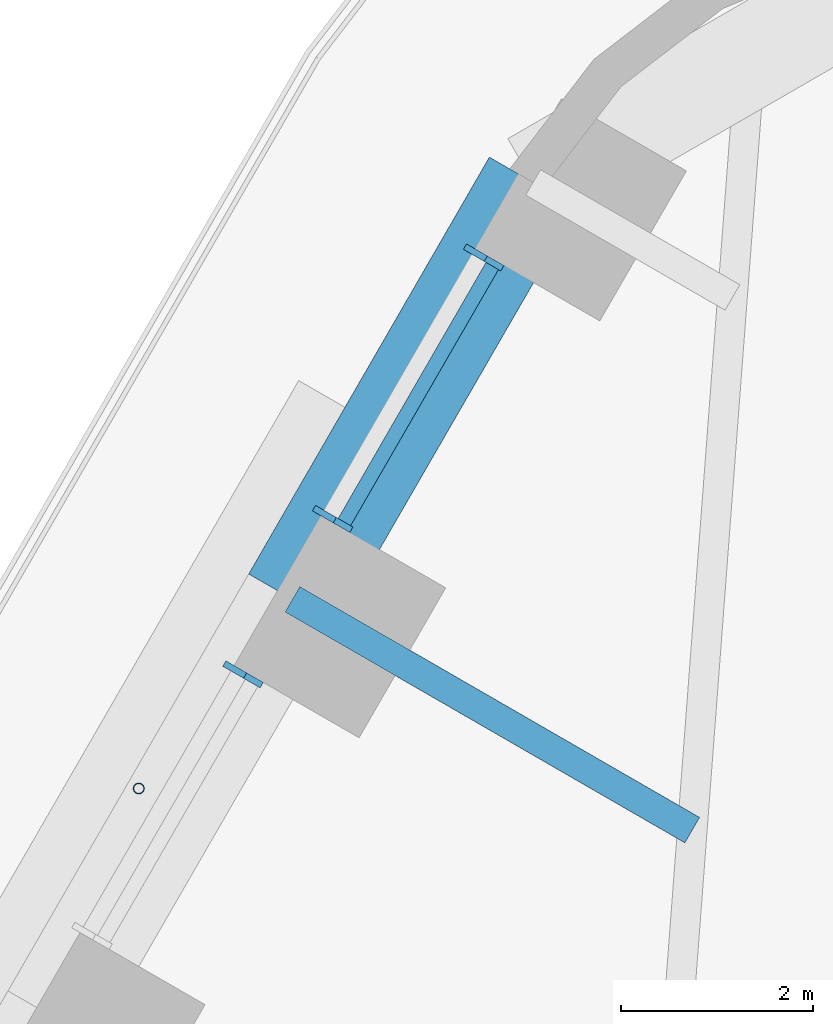
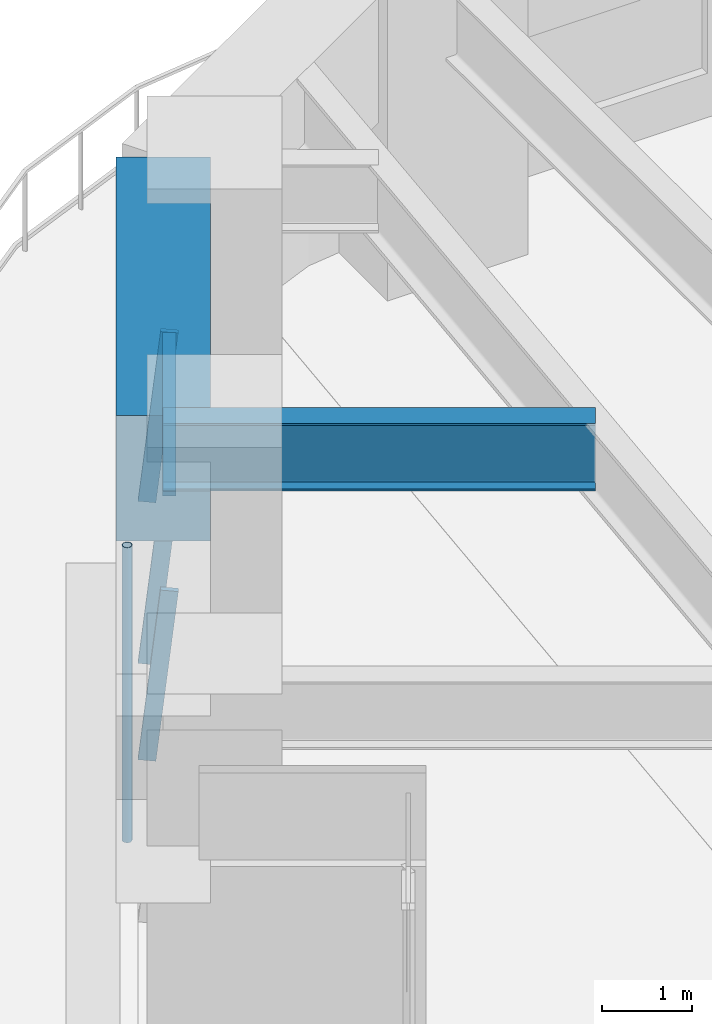
# One storey, part 9 of 24: 5 members, 2 beams, 2 elements without a shape of their own.
"""IFC4 building model written with IfcOpenShell, lengths in metres."""

from ifc_helpers import new_model, si_unit, direction, frame, origin, origin_2d, place, context, subcontext, project, spatial, rectangle, hollow_circle, i_section, extrude, material, material_profile, profile_set, type_object, element, aggregate, save


model = new_model("IFC4")

# Units and contexts
model_context = context("Model", 3, precision=1e-05, world=origin(), true_north=direction((0.0, 1.0)))
body_context = subcontext(model_context, "Body", "Model", "MODEL_VIEW")
ifc_project = project(units=[si_unit("LENGTHUNIT", "METRE"), si_unit("AREAUNIT", "SQUARE_METRE"), si_unit("VOLUMEUNIT", "CUBIC_METRE"), si_unit("PLANEANGLEUNIT", "RADIAN"), si_unit("MASSUNIT", "GRAM", prefix="KILO")], contexts=[model_context])

# Site, building, storey
site_placement = place(None, origin())
site = spatial("IfcSite", under=ifc_project, at=site_placement, CompositionType="ELEMENT")
building_placement = place(site_placement, origin())
building = spatial("IfcBuilding", under=site, at=building_placement, Name="Tarfa Lantern Tower", CompositionType="ELEMENT")
storey_placement = place(building_placement, frame((0.0, 0.0, 127.89990234375)))
storey = spatial("IfcBuildingStorey", under=building, at=storey_placement, Name="L28", CompositionType="ELEMENT", Elevation=127.89990234375)

# Curtain wall, members
ifc_material_1 = material(Name="Aluminium framed curtain wall", Category="aluminium")
curtain_wall_type = type_object("IfcCurtainWallType", Name="CW2 CANTED GLAZING MID ZONE 2300", PredefinedType="USERDEFINED", material=ifc_material_1)
curtain_wall_1_placement = place(storey_placement, origin())
curtain_wall_1 = element("IfcCurtainWall", 1, at=curtain_wall_1_placement, inside=storey, type_object=curtain_wall_type, Name="CW2 NW L28", ObjectType="CURTAIN WALL", PredefinedType="USERDEFINED")
ifc_material_2 = material(Name="Aluminium mullion", Category="aluminium")
ifc_material_profile_1 = material_profile(ifc_material_2, rectangle(XDim=0.06494140625, YDim=0.199951171875, at=origin_2d()), Name="AL MULLION 65x200")
ifc_profile_set_1 = profile_set([ifc_material_profile_1], Name="Aluminium mullion")
member_type_1 = type_object("IfcMemberType", Name="CWM1 MULLION 65x200", PredefinedType="MULLION", material=ifc_profile_set_1)
member_1_placement = place(storey_placement, frame((-20.15380859375, 27.892333984375, 0.0), z_axis=(0.093495303575, -0.054028888748, 0.994152657991), x_axis=(0.500342721131, 0.865827443207, 0.0)))
member_1 = element("IfcMember", 2, at=member_1_placement, type_object=member_type_1, Name="CW2 mullion 1", PredefinedType="MULLION", context=body_context, shape_type="SweptSolid", body=[
    extrude(rectangle(XDim=0.06494140625, YDim=0.199951171875, at=origin_2d()), origin(), (0.0, 0.0, 1.0), 2.3134765625),
])
member_2_placement = place(storey_placement, frame((-21.72314453125, 25.17431640625, 0.0), z_axis=(0.093495303575, -0.054028888748, 0.994152657991), x_axis=(0.500342721131, 0.865827443207, 0.0)))
member_2 = element("IfcMember", 3, at=member_2_placement, type_object=member_type_1, Name="CW2 mullion 2", PredefinedType="MULLION", context=body_context, shape_type="SweptSolid", body=[
    extrude(rectangle(XDim=0.06494140625, YDim=0.199951171875, at=origin_2d()), origin(), (0.0, 0.0, 1.0), 2.3134765625),
])

# Curtain wall, member
curtain_wall_2_placement = place(storey_placement, origin())
curtain_wall_2 = element("IfcCurtainWall", 4, at=curtain_wall_2_placement, inside=storey, type_object=curtain_wall_type, Name="CW2 NW L28", ObjectType="CURTAIN WALL", PredefinedType="USERDEFINED")
member_3_placement = place(storey_placement, frame((-22.65576171875, 23.55908203125, 0.0), z_axis=(0.093599904765, -0.0540283554, 0.994142844183), x_axis=(0.499919672301, 0.866071776036, 0.0)))
member_3 = element("IfcMember", 5, at=member_3_placement, type_object=member_type_1, Name="CW2 mullion 1", PredefinedType="MULLION", context=body_context, shape_type="SweptSolid", body=[
    extrude(rectangle(XDim=0.06494140625, YDim=0.199951171875, at=origin_2d()), origin(), (0.0, 0.0, 1.0), 2.313720703125),
])
aggregate(curtain_wall_2, [member_3])

# Member
ifc_material_3 = material(Name="Aluminium transom", Category="aluminium")
ifc_material_profile_2 = material_profile(ifc_material_3, rectangle(XDim=0.14990234375, YDim=0.06494140625, at=origin_2d()), Name="AL TRANSOM 150x65")
ifc_profile_set_2 = profile_set([ifc_material_profile_2], Name="Aluminium transom")
member_type_2 = type_object("IfcMemberType", Name="CWT1 TRANSOM 150x65", PredefinedType="USERDEFINED", material=ifc_profile_set_2)
member_4_placement = place(storey_placement, frame((-19.956787109375, 27.740966796875, 2.267578125), z_axis=(-0.500008936691, -0.866020244122, 0.0), x_axis=(0.866020244122, -0.500008936691, 0.0)))
member_4 = element("IfcMember", 6, at=member_4_placement, type_object=member_type_2, Name="CW2 transom 1.2", ObjectType="TRANSOM", PredefinedType="USERDEFINED", context=body_context, shape_type="SweptSolid", body=[
    extrude(rectangle(XDim=0.14990234375, YDim=0.06494140625, at=origin_2d()), origin(), (0.0, 0.0, 1.0), 3.07373046875),
])

aggregate(curtain_wall_1, [member_1, member_2, member_4])

# Beam
ifc_material_4 = material(Name="Concrete C80/95", Category="concrete")
ifc_material_profile_3 = material_profile(ifc_material_4, rectangle(XDim=1.050048828125, YDim=1.699951171875, at=origin_2d()), Name="RC 1050x1700")
ifc_profile_set_3 = profile_set([ifc_material_profile_3], Name="Concrete C80/95")
beam_type_1 = type_object("IfcBeamType", Name="RB2 RC 1050x1700", PredefinedType="BEAM", material=ifc_profile_set_3)
beam_1_placement = place(storey_placement, frame((-19.53173828125, 28.610107421875, 3.150146484375), z_axis=(-0.500001197378, -0.866024712477, 0.0), x_axis=(0.866024712477, -0.500001197378, 0.0)))
element("IfcBeam", 7, at=beam_1_placement, inside=storey, type_object=beam_type_1, Name="Edge beam NW0", PredefinedType="BEAM", context=body_context, shape_type="SweptSolid", body=[
    extrude(rectangle(XDim=1.050048828125, YDim=1.699951171875, at=origin_2d()), origin(), (0.0, 0.0, 1.0), 5.00390625),
])

# Member
ifc_material_5 = material(Name="Steel S355", Category="steel")
ifc_material_profile_4 = material_profile(ifc_material_5, hollow_circle(Radius=0.05712890625, WallThickness=0.00634765625, at=origin_2d()), Name="CHS114.3x6.3")
ifc_profile_set_4 = profile_set([ifc_material_profile_4], Name="Steel S355")
member_type_3 = type_object("IfcMemberType", Name="TR1 GREEN WALL TRELLIS CHS114.3x6.3", PredefinedType="USERDEFINED", material=ifc_profile_set_4)
member_5_placement = place(storey_placement, frame((-23.630859375, 22.31005859375, 0.0), z_axis=(0.0, 0.0, 1.0), x_axis=(1.0, 0.0, 0.0)))
element("IfcMember", 8, at=member_5_placement, inside=storey, type_object=member_type_3, Name="Trellis post NW 1", ObjectType="TRELLIS", PredefinedType="USERDEFINED", context=body_context, shape_type="SweptSolid", body=[
    extrude(hollow_circle(Radius=0.05712890625, WallThickness=0.00634765625, at=origin_2d()), origin(), (0.0, 0.0, 1.0), 4.0),
])

# Beam
ifc_material_6 = material(Name="Steel S460M", Category="steel")
ifc_material_profile_5 = material_profile(ifc_material_6, i_section(OverallWidth=0.305419921875, OverallDepth=0.91845703125, WebThickness=0.017333984375, FlangeThickness=0.02783203125, FilletRadius=0.01904296875, at=origin_2d()), Name="UB914x305x253")
ifc_profile_set_5 = profile_set([ifc_material_profile_5], Name="Steel S460M")
beam_type_2 = type_object("IfcBeamType", Name="UB914x305x253", PredefinedType="BEAM", material=ifc_profile_set_5)
beam_2_placement = place(storey_placement, frame((-22.03369140625, 24.276611328125, 3.541015625), z_axis=(0.866030550462, -0.499991085587, 0.0), x_axis=(0.499991085587, 0.866030550462, 0.0)))
element("IfcBeam", 9, at=beam_2_placement, inside=storey, type_object=beam_type_2, Name="Floor beam NW1", PredefinedType="BEAM", context=body_context, shape_type="SweptSolid", body=[
    extrude(i_section(OverallWidth=0.305419921875, OverallDepth=0.91845703125, WebThickness=0.017333984375, FlangeThickness=0.02783203125, FilletRadius=0.01904296875, at=origin_2d()), origin(), (0.0, 0.0, 1.0), 4.798828125),
])

save(model, "model.ifc")
